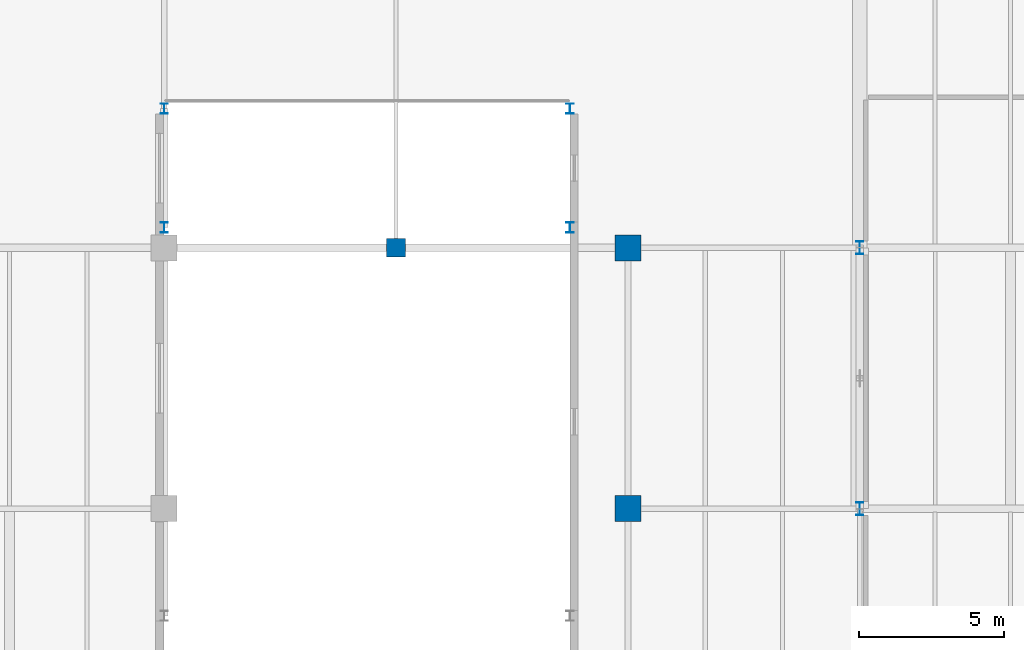
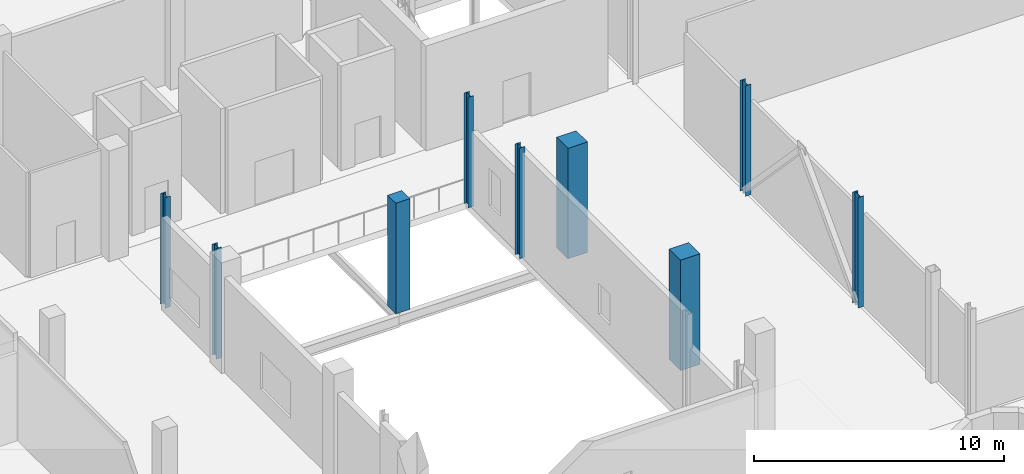
# One storey, part 5 of 57: 9 columns.
"""IFC4 building model written with IfcOpenShell, lengths in metres."""

from ifc_helpers import new_model, si_unit, derived_unit, direction, frame, origin, origin_2d, place, context, subcontext, project, spatial, rectangle, i_section, extrude, material, material_profile, profile_set, type_object, element, save


model = new_model("IFC4")

# Units and contexts
model_context = context("Model", 3, precision=1e-05, world=origin(), true_north=direction((0.0, 1.0)))
body_context = subcontext(model_context, "Body", "Model", "MODEL_VIEW")
ifc_project = project(units=[si_unit("LENGTHUNIT", "METRE"), si_unit("AREAUNIT", "SQUARE_METRE"), si_unit("VOLUMEUNIT", "CUBIC_METRE"), si_unit("PLANEANGLEUNIT", "RADIAN"), si_unit("MASSUNIT", "GRAM", prefix="KILO"), derived_unit("THERMALTRANSMITTANCEUNIT", [(si_unit("POWERUNIT", "WATT"), 1), (si_unit("LENGTHUNIT", "METRE"), -2), (si_unit("THERMODYNAMICTEMPERATUREUNIT", "KELVIN"), -1)])], contexts=[model_context])

# Site, building, storey
site_placement = place(None, origin())
site = spatial("IfcSite", under=ifc_project, at=site_placement, CompositionType="ELEMENT")
building_placement = place(site_placement, origin())
building = spatial("IfcBuilding", under=site, at=building_placement, Name="Nallur Shell Playhouse", CompositionType="ELEMENT")
storey_placement = place(building_placement, origin())
storey = spatial("IfcBuildingStorey", under=building, at=storey_placement, Name="L01", CompositionType="ELEMENT", Elevation=0.0)

# Columns
ifc_material_1 = material(Name="Concrete M35", Category="concrete")
ifc_material_profile_1 = material_profile(ifc_material_1, rectangle(XDim=0.64990234375, YDim=0.64990234375, at=origin_2d()), Name="RC 650x650")
ifc_profile_set_1 = profile_set([ifc_material_profile_1], Name="Concrete M35")
column_type_1 = type_object("IfcColumnType", Name="CL-RC-650", PredefinedType="COLUMN", material=ifc_profile_set_1)
column_placement = place(storey_placement, frame((48.0, 65.0, 0.0), z_axis=(0.0, 0.0, 1.0), x_axis=(1.0, 0.0, 0.0)))
element("IfcColumn", 1, at=column_placement, inside=storey, type_object=column_type_1, Name="Column 6-H (L01)", PredefinedType="COLUMN", context=body_context, shape_type="SweptSolid", body=[
    extrude(rectangle(XDim=0.64990234375, YDim=0.64990234375, at=origin_2d()), origin(), (0.0, 0.0, 1.0), 5.39990234375),
])
ifc_material_2 = material(Name="Concrete M40", Category="concrete")
ifc_material_profile_2 = material_profile(ifc_material_2, rectangle(XDim=0.89990234375, YDim=0.89990234375, at=origin_2d()), Name="RC 900x900")
ifc_profile_set_2 = profile_set([ifc_material_profile_2], Name="Concrete M40")
column_type_2 = type_object("IfcColumnType", Name="CL-RC-900", PredefinedType="COLUMN", material=ifc_profile_set_2)
for number, where, z_axis, x_axis, name in (
    (2, (56.0, 56.0, 0.0), (0.0, 0.0, 1.0), (1.0, 0.0, 0.0), "Column 7-G (L01)"),
    (3, (56.0, 65.0, 0.0), (0.0, 0.0, 1.0), (1.0, 0.0, 0.0), "Column 7-H (L01)"),
):
    element("IfcColumn", number, at=place(storey_placement, frame(where, z_axis=z_axis, x_axis=x_axis)), inside=storey, type_object=column_type_2, Name=name, PredefinedType="COLUMN", context=body_context, shape_type="SweptSolid", body=[
        extrude(rectangle(XDim=0.89990234375, YDim=0.89990234375, at=origin_2d()), origin(), (0.0, 0.0, 1.0), 5.39990234375),
    ])
ifc_material_3 = material(Name="Steel E350", Category="steel")
ifc_material_profile_3 = material_profile(ifc_material_3, i_section(OverallWidth=0.25, OverallDepth=0.35009765625, WebThickness=0.010009765625, FlangeThickness=0.01171875, FilletRadius=0.011962890625, at=origin_2d()), Name="ISHB 350")
ifc_profile_set_3 = profile_set([ifc_material_profile_3], Name="Steel E350")
column_type_3 = type_object("IfcColumnType", Name="CL-ST-ISHB350", PredefinedType="COLUMN", material=ifc_profile_set_3)
for number, where, z_axis, x_axis, name in (
    (4, (40.0, 65.699951171875, 0.0), (0.0, 0.0, 1.0), (1.0, 0.0, 0.0), "Column BRCOL-5 (L01)"),
    (5, (54.0, 65.699951171875, 0.0), (0.0, 0.0, 1.0), (1.0, 0.0, 0.0), "Column BRCOL-6 (L01)"),
    (6, (40.0, 69.800048828125, 0.0), (0.0, 0.0, 1.0), (1.0, 0.0, 0.0), "Column BRCOL-7 (L01)"),
    (7, (54.0, 69.800048828125, 0.0), (0.0, 0.0, 1.0), (1.0, 0.0, 0.0), "Column BRCOL-8 (L01)"),
):
    element("IfcColumn", number, at=place(storey_placement, frame(where, z_axis=z_axis, x_axis=x_axis)), inside=storey, type_object=column_type_3, Name=name, PredefinedType="COLUMN", context=body_context, shape_type="SweptSolid", body=[
        extrude(i_section(OverallWidth=0.25, OverallDepth=0.35009765625, WebThickness=0.010009765625, FlangeThickness=0.01171875, FilletRadius=0.011962890625, at=origin_2d()), origin(), (0.0, 0.0, 1.0), 5.39990234375),
    ])
ifc_material_profile_4 = material_profile(ifc_material_3, i_section(OverallWidth=0.25, OverallDepth=0.449951171875, WebThickness=0.01123046875, FlangeThickness=0.013671875, FilletRadius=0.014892578125, at=origin_2d()), Name="ISHB 450")
ifc_profile_set_4 = profile_set([ifc_material_profile_4], Name="Steel E350")
column_type_4 = type_object("IfcColumnType", Name="CL-ST-ISHB450", PredefinedType="COLUMN", material=ifc_profile_set_4)
for number, where, z_axis, x_axis, name in (
    (8, (64.0, 56.0, 0.0), (0.0, 0.0, 1.0), (1.0, 0.0, 0.0), "Column 8-G (L01)"),
    (9, (64.0, 65.0, 0.0), (0.0, 0.0, 1.0), (1.0, 0.0, 0.0), "Column 8-H (L01)"),
):
    element("IfcColumn", number, at=place(storey_placement, frame(where, z_axis=z_axis, x_axis=x_axis)), inside=storey, type_object=column_type_4, Name=name, PredefinedType="COLUMN", context=body_context, shape_type="SweptSolid", body=[
        extrude(i_section(OverallWidth=0.25, OverallDepth=0.449951171875, WebThickness=0.01123046875, FlangeThickness=0.013671875, FilletRadius=0.014892578125, at=origin_2d()), origin(), (0.0, 0.0, 1.0), 5.39990234375),
    ])

save(model, "model.ifc")
